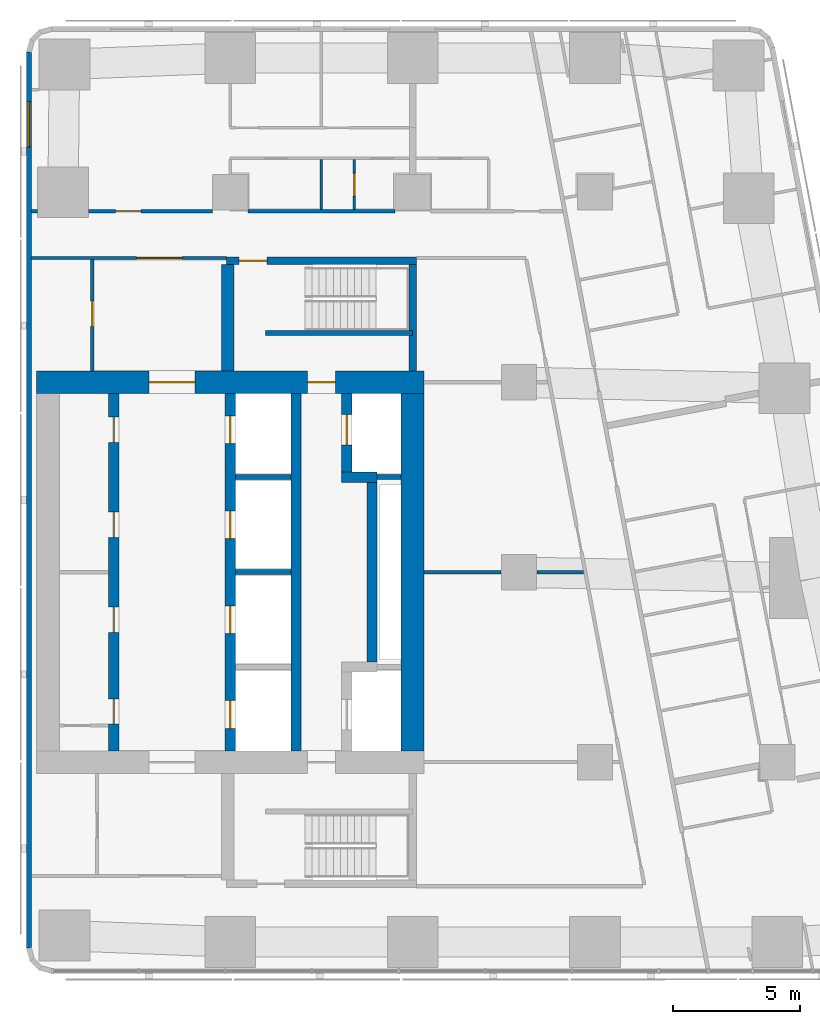
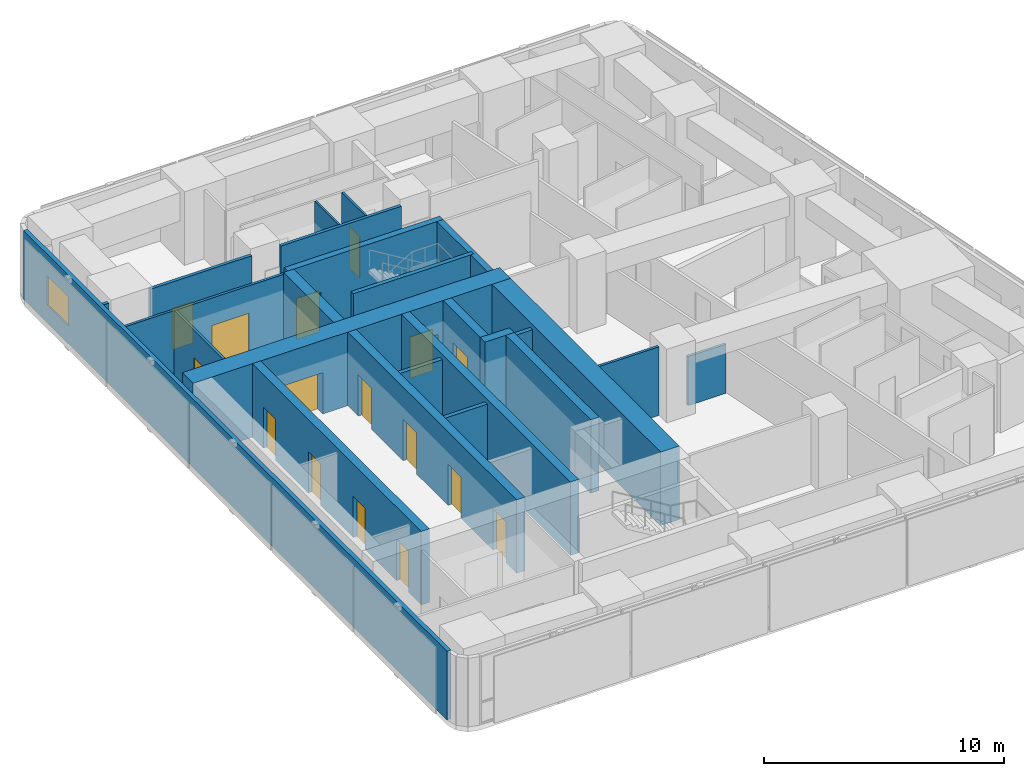
# One storey, part 6 of 11: 25 walls, 16 doors, 1 window, 17 openings.
"""IFC4 building model written with IfcOpenShell, lengths in metres."""

import ifcopenshell
import ifcopenshell.guid

model = None  # the IFC model being written
_history = None  # IfcOwnerHistory: only IFC2X3 demands one
_inside = {}  # id of a spatial element -> (the spatial element, [elements in it])
_under = {}  # id of a project, library or spatial element -> (it, [spatial elements below it])
_declared = {}  # id of a project -> (the project, [libraries it declares])
_typed = {}  # id of a type object -> (the type object, [elements of that type])
_made_of = {}  # id of a material, layer set ... -> (it, [elements and type objects made of it])


def new_model(schema):
    """Start an empty IFC model of exactly this schema.

    Asked for "IFC4X3", IfcOpenShell would pick the latest addendum, in which some entities
    have other attributes; the version numbers below select the first issue.
    IFC2X3 requires an IfcOwnerHistory on every rooted entity: one is made here for all.
    """
    global model, _history
    if schema == "IFC4X3":
        model = ifcopenshell.file(schema_version=(4, 3, 0, 0))
    else:
        model = ifcopenshell.file(schema=schema)
    _inside.clear()
    _under.clear()
    _declared.clear()
    _typed.clear()
    _made_of.clear()
    _history = None
    if model.schema == "IFC2X3":
        org = make("IfcOrganization", Name="unknown")
        user = make(
            "IfcPersonAndOrganization",
            ThePerson=make("IfcPerson", FamilyName="unknown"),
            TheOrganization=org,
        )
        app = make(
            "IfcApplication",
            ApplicationDeveloper=org,
            Version="unknown",
            ApplicationFullName="unknown",
            ApplicationIdentifier="unknown",
        )
        _history = make(
            "IfcOwnerHistory",
            OwningUser=user,
            OwningApplication=app,
            ChangeAction="ADDED",
            CreationDate=0,
        )
    return model


def make(cls, **values):
    """One entity of the class cls with the attributes given. An attribute that is None is left unset."""
    return model.create_entity(
        cls, **{name: value for name, value in values.items() if value is not None}
    )


def rooted(cls, **values):
    """An entity with a GlobalId (a new one), such as an element, a storey or a relation."""
    return make(cls, GlobalId=ifcopenshell.guid.new(), OwnerHistory=_history, **values)


def si_unit(unit_type, name, prefix=None):
    """IfcSIUnit, for example si_unit("LENGTHUNIT", "METRE", prefix="MILLI")."""
    return make("IfcSIUnit", UnitType=unit_type, Prefix=prefix, Name=name)


def assignment(units):
    """IfcUnitAssignment: the units of a project."""
    return None if units is None else make("IfcUnitAssignment", Units=units)


def point(xyz):
    """IfcCartesianPoint."""
    return None if xyz is None else make("IfcCartesianPoint", Coordinates=xyz)


def direction(xyz):
    """IfcDirection."""
    return None if xyz is None else make("IfcDirection", DirectionRatios=xyz)


def frame(location, z_axis=None, x_axis=None):
    """IfcAxis2Placement3D, a coordinate frame: its origin and axes. An axis left out is left unset."""
    return make(
        "IfcAxis2Placement3D",
        Location=point(location),
        Axis=direction(z_axis),
        RefDirection=direction(x_axis),
    )


def frame_2d(location, x_axis=None):
    """IfcAxis2Placement2D, a coordinate frame in the plane: its origin and x axis."""
    return make(
        "IfcAxis2Placement2D", Location=point(location), RefDirection=direction(x_axis)
    )


def origin():
    """The frame at (0, 0, 0) with its axes left unset."""
    return frame((0.0, 0.0, 0.0))


def place(relative_to, where):
    """IfcLocalPlacement: puts the frame where relative to a parent placement (None: the world)."""
    return make(
        "IfcLocalPlacement", PlacementRelTo=relative_to, RelativePlacement=where
    )


def context(
    kind, dimensions, precision=None, world=None, true_north=None, identifier=None
):
    """IfcGeometricRepresentationContext, for example the 3D "Model" context."""
    return make(
        "IfcGeometricRepresentationContext",
        ContextIdentifier=identifier,
        ContextType=kind,
        CoordinateSpaceDimension=dimensions,
        Precision=precision,
        WorldCoordinateSystem=world,
        TrueNorth=true_north,
    )


def subcontext(parent, identifier, kind, view, scale=None):
    """IfcGeometricRepresentationSubContext, for example "Body" below "Model"."""
    return make(
        "IfcGeometricRepresentationSubContext",
        ContextIdentifier=identifier,
        ContextType=kind,
        ParentContext=parent,
        TargetScale=scale,
        TargetView=view,
    )


def project(units=None, contexts=None):
    """IfcProject with its units and contexts."""
    return rooted(
        "IfcProject",
        Name="project",
        RepresentationContexts=contexts,
        UnitsInContext=assignment(units),
    )


def spatial(cls, under=None, at=None, **own):
    """A site, building, storey or space (cls), placed at a placement, below another one or the project."""
    s = rooted(cls, ObjectPlacement=at, **own)
    if under is not None:
        _under.setdefault(under.id(), (under, []))[1].append(s)
    return s


def profile(cls, at=None, kind="AREA", **sizes):
    """A parametric profile (cls). Its sizes go by their IFC names, for example OverallWidth=200.0."""
    return make(cls, ProfileType=kind, Position=at, **sizes)


def rectangle(**sizes):
    """IfcRectangleProfileDef."""
    return profile("IfcRectangleProfileDef", **sizes)


def extrude(swept, where, along, depth):
    """IfcExtrudedAreaSolid: the profile swept, set in the frame where, extruded along a direction by depth."""
    return make(
        "IfcExtrudedAreaSolid",
        SweptArea=swept,
        Position=where,
        ExtrudedDirection=direction(along),
        Depth=depth,
    )


def shape(context_of_items, identifier, shape_type, items):
    """IfcShapeRepresentation: the items that make up one representation, for example the "Body"."""
    return make(
        "IfcShapeRepresentation",
        ContextOfItems=context_of_items,
        RepresentationIdentifier=identifier,
        RepresentationType=shape_type,
        Items=items,
    )


def material(Name=None, Category=None):
    """IfcMaterial."""
    return make("IfcMaterial", Name=Name, Category=Category)


def layer(
    of_material, thickness, ventilated=None, Name=None, Category=None, Priority=None
):
    """IfcMaterialLayer: one layer of a wall or slab, of a material (None: an air gap)."""
    return make(
        "IfcMaterialLayer",
        Material=of_material,
        LayerThickness=thickness,
        IsVentilated=ventilated,
        Name=Name,
        Category=Category,
        Priority=Priority,
    )


def layer_set(layers, Name=None):
    """IfcMaterialLayerSet."""
    return make("IfcMaterialLayerSet", MaterialLayers=layers, LayerSetName=Name)


def made_of(thing, what):
    """Note that an element or type object is made of a material, layer set ...; save() writes the relation."""
    if what is not None:
        _made_of.setdefault(what.id(), (what, []))[1].append(thing)
    return thing


def type_object(cls, material=None, **own):
    """A type object (cls), such as IfcWallType, which elements share."""
    return made_of(rooted(cls, **own), material)


def element(
    cls,
    number,
    at=None,
    inside=None,
    cuts=None,
    type_object=None,
    material=None,
    context=None,
    identifier="Body",
    shape_type=None,
    held_by="IfcProductDefinitionShape",
    body=None,
    shapes=None,
    **own,
):
    """One element of the class cls, such as IfcWall. Its Tag is "e" and its number.

    at: its placement. inside: the storey or other place that contains it. cuts: it is an
    opening in that element (IfcRelVoidsElement). A single representation is given by context,
    identifier, shape_type and body (its items); several are given by shapes. held_by: the class
    of the entity that holds the representations. save() writes the other relations.
    """
    e = rooted(cls, Tag="e%d" % number, ObjectPlacement=at, **own)
    if body is not None:
        shapes = [shape(context, identifier, shape_type, body)]
    if shapes is not None:
        e.Representation = make(held_by, Representations=shapes)
    if inside is not None:
        _inside.setdefault(inside.id(), (inside, []))[1].append(e)
    if cuts is not None:
        rooted(
            "IfcRelVoidsElement", RelatingBuildingElement=cuts, RelatedOpeningElement=e
        )
    if type_object is not None:
        _typed.setdefault(type_object.id(), (type_object, []))[1].append(e)
    return made_of(e, material)


def fill(opening, filler):
    """IfcRelFillsElement: the door or window that sits in an opening."""
    return rooted(
        "IfcRelFillsElement",
        RelatingOpeningElement=opening,
        RelatedBuildingElement=filler,
    )


def aggregate(whole, parts):
    """IfcRelAggregates: a whole, such as a stair, and the parts it consists of."""
    return rooted("IfcRelAggregates", RelatingObject=whole, RelatedObjects=parts)


def save(model, path):
    """Write the relations noted so far, then the file.

    IfcRelAggregates (storeys below a building ...), IfcRelContainedInSpatialStructure (elements
    in a storey), IfcRelDefinesByType, IfcRelAssociatesMaterial and IfcRelDeclares: one each for
    every whole, place, type object, material and project.
    """
    for whole, parts in _under.values():
        aggregate(whole, parts)
    for where, things in _inside.values():
        rooted(
            "IfcRelContainedInSpatialStructure",
            RelatedElements=things,
            RelatingStructure=where,
        )
    for kind, things in _typed.values():
        rooted("IfcRelDefinesByType", RelatedObjects=things, RelatingType=kind)
    for what, things in _made_of.values():
        rooted("IfcRelAssociatesMaterial", RelatedObjects=things, RelatingMaterial=what)
    for by, libraries in _declared.values():
        rooted("IfcRelDeclares", RelatingContext=by, RelatedDefinitions=libraries)
    model.write(path)


model = new_model("IFC4")

# Units and contexts
model_context = context("Model", 3, precision=1e-05, world=origin(), true_north=direction((0.0, 1.0)))
body_context = subcontext(model_context, "Body", "Model", "MODEL_VIEW")
ifc_project = project(units=[si_unit("LENGTHUNIT", "METRE"), si_unit("AREAUNIT", "SQUARE_METRE"), si_unit("VOLUMEUNIT", "CUBIC_METRE"), si_unit("PLANEANGLEUNIT", "RADIAN"), si_unit("MASSUNIT", "GRAM", prefix="KILO")], contexts=[model_context])

# Site, building, storey
site_placement = place(None, origin())
site = spatial("IfcSite", under=ifc_project, at=site_placement, CompositionType="ELEMENT")
building_placement = place(site_placement, origin())
building = spatial("IfcBuilding", under=site, at=building_placement, Name="Sheger Commons Tower", CompositionType="ELEMENT")
storey_placement = place(building_placement, frame((0.0, 0.0, 277.85009765625)))
storey = spatial("IfcBuildingStorey", under=building, at=storey_placement, Name="L71", CompositionType="ELEMENT", Elevation=277.85009765625)

# Wall, openings, doors
ifc_material_1 = material(Name="Concrete C50/60", Category="concrete")
ifc_layer_1 = layer(ifc_material_1, 0.39990234375)
ifc_layer_set_1 = layer_set([ifc_layer_1], Name="CORE INNER WALL 400")
wall_type_1 = type_object("IfcWallType", Name="CORE INNER WALL 400", PredefinedType="SHEAR", material=ifc_layer_set_1)
wall_1_placement = place(storey_placement, frame((17.0, 15.449951171875, 0.0), z_axis=(0.0, 0.0, 1.0), x_axis=(0.0, 1.0, 0.0)))
wall_1 = element("IfcWall", 1, at=wall_1_placement, inside=storey, type_object=wall_type_1, Name="Core inner wall A L71", PredefinedType="SHEAR", context=body_context, shape_type="SweptSolid", body=[
    extrude(rectangle(XDim=14.10009765625, YDim=0.39990234375, at=frame_2d((7.050048828125, 0.0))), origin(), (0.0, 0.0, 1.0), 3.75),
])
opening_1_placement = place(wall_1_placement, frame((1.050048828125, 0.0, 0.0)))
opening_1 = element("IfcOpeningElement", 2, at=opening_1_placement, cuts=wall_1, Name="Opening D4", PredefinedType="OPENING", context=body_context, shape_type="SweptSolid", body=[
    extrude(rectangle(XDim=1.0, YDim=2.10009765625, at=frame_2d((0.5, 1.050048828125))), frame((0.0, 0.2099609375, 0.0), z_axis=(0.0, -1.0, 0.0), x_axis=(1.0, 0.0, 0.0)), (0.0, 0.0, 1.0), 0.419921875),
])
opening_2_placement = place(wall_1_placement, frame((4.675048828125, 0.0, 0.0)))
opening_2 = element("IfcOpeningElement", 3, at=opening_2_placement, cuts=wall_1, Name="Opening D4", PredefinedType="OPENING", context=body_context, shape_type="SweptSolid", body=[
    extrude(rectangle(XDim=1.0, YDim=2.10009765625, at=frame_2d((0.5, 1.050048828125))), frame((0.0, 0.2099609375, 0.0), z_axis=(0.0, -1.0, 0.0), x_axis=(1.0, 0.0, 0.0)), (0.0, 0.0, 1.0), 0.419921875),
])
opening_3_placement = place(wall_1_placement, frame((8.425048828125, 0.0, 0.0)))
opening_3 = element("IfcOpeningElement", 4, at=opening_3_placement, cuts=wall_1, Name="Opening D4", PredefinedType="OPENING", context=body_context, shape_type="SweptSolid", body=[
    extrude(rectangle(XDim=1.0, YDim=2.10009765625, at=frame_2d((0.5, 1.050048828125))), frame((0.0, 0.2099609375, 0.0), z_axis=(0.0, -1.0, 0.0), x_axis=(1.0, 0.0, 0.0)), (0.0, 0.0, 1.0), 0.419921875),
])
opening_4_placement = place(wall_1_placement, frame((12.175048828125, 0.0, 0.0)))
opening_4 = element("IfcOpeningElement", 5, at=opening_4_placement, cuts=wall_1, Name="Opening D4", PredefinedType="OPENING", context=body_context, shape_type="SweptSolid", body=[
    extrude(rectangle(XDim=1.0, YDim=2.10009765625, at=frame_2d((0.5, 1.050048828125))), frame((0.0, 0.2099609375, 0.0), z_axis=(0.0, -1.0, 0.0), x_axis=(1.0, 0.0, 0.0)), (0.0, 0.0, 1.0), 0.419921875),
])
ifc_material_2 = material(Name="Steel door set, fire rated", Category="steel")
door_type_1 = type_object("IfcDoorType", Name="SERVICE DOOR 1000x2100", OperationType="NOTDEFINED", PredefinedType="DOOR", material=ifc_material_2)
door_1_placement = place(opening_1_placement, origin())
door_1 = element("IfcDoor", 6, at=door_1_placement, inside=storey, type_object=door_type_1, Name="Residents' bulky goods store door", OperationType="SINGLE_SWING_LEFT", OverallHeight=2.10009765625, OverallWidth=1.0, PredefinedType="DOOR", context=body_context, shape_type="SweptSolid", body=[
    extrude(rectangle(XDim=1.0, YDim=2.10009765625, at=frame_2d((0.5, 1.050048828125))), frame((0.0, 0.02490234375, 0.0), z_axis=(0.0, -1.0, 0.0), x_axis=(1.0, 0.0, 0.0)), (0.0, 0.0, 1.0), 0.050048828125),
])
fill(opening_1, door_1)
door_2_placement = place(opening_2_placement, origin())
door_2 = element("IfcDoor", 7, at=door_2_placement, inside=storey, type_object=door_type_1, Name="Residents' bulky goods store door", OperationType="SINGLE_SWING_RIGHT", OverallHeight=2.10009765625, OverallWidth=1.0, PredefinedType="DOOR", context=body_context, shape_type="SweptSolid", body=[
    extrude(rectangle(XDim=1.0, YDim=2.10009765625, at=frame_2d((0.5, 1.050048828125))), frame((0.0, 0.02490234375, 0.0), z_axis=(0.0, -1.0, 0.0), x_axis=(1.0, 0.0, 0.0)), (0.0, 0.0, 1.0), 0.050048828125),
])
fill(opening_2, door_2)
door_3_placement = place(opening_3_placement, origin())
door_3 = element("IfcDoor", 8, at=door_3_placement, inside=storey, type_object=door_type_1, Name="Maintenance workshop door", OperationType="SINGLE_SWING_LEFT", OverallHeight=2.10009765625, OverallWidth=1.0, PredefinedType="DOOR", context=body_context, shape_type="SweptSolid", body=[
    extrude(rectangle(XDim=1.0, YDim=2.10009765625, at=frame_2d((0.5, 1.050048828125))), frame((0.0, 0.02490234375, 0.0), z_axis=(0.0, -1.0, 0.0), x_axis=(1.0, 0.0, 0.0)), (0.0, 0.0, 1.0), 0.050048828125),
])
fill(opening_3, door_3)
door_4_placement = place(opening_4_placement, origin())
door_4 = element("IfcDoor", 9, at=door_4_placement, inside=storey, type_object=door_type_1, Name="Maintenance workshop door", OperationType="SINGLE_SWING_RIGHT", OverallHeight=2.10009765625, OverallWidth=1.0, PredefinedType="DOOR", context=body_context, shape_type="SweptSolid", body=[
    extrude(rectangle(XDim=1.0, YDim=2.10009765625, at=frame_2d((0.5, 1.050048828125))), frame((0.0, 0.02490234375, 0.0), z_axis=(0.0, -1.0, 0.0), x_axis=(1.0, 0.0, 0.0)), (0.0, 0.0, 1.0), 0.050048828125),
])
fill(opening_4, door_4)

wall_2_placement = place(storey_placement, frame((21.60009765625, 15.449951171875, 0.0), z_axis=(0.0, 0.0, 1.0), x_axis=(0.0, 1.0, 0.0)))
wall_2 = element("IfcWall", 10, at=wall_2_placement, inside=storey, type_object=wall_type_1, Name="Core inner wall L L71", PredefinedType="SHEAR", context=body_context, shape_type="SweptSolid", body=[
    extrude(rectangle(XDim=14.10009765625, YDim=0.39990234375, at=frame_2d((7.050048828125, 0.0))), origin(), (0.0, 0.0, 1.0), 3.75),
])
opening_5_placement = place(wall_2_placement, frame((0.875, 0.0, 0.0)))
opening_5 = element("IfcOpeningElement", 11, at=opening_5_placement, cuts=wall_2, Name="Opening LD", PredefinedType="OPENING", context=body_context, shape_type="SweptSolid", body=[
    extrude(rectangle(XDim=1.10009765625, YDim=2.10009765625, at=frame_2d((0.550048828125, 1.050048828125))), frame((0.0, 0.2099609375, 0.0), z_axis=(0.0, -1.0, 0.0), x_axis=(1.0, 0.0, 0.0)), (0.0, 0.0, 1.0), 0.419921875),
])
opening_6_placement = place(wall_2_placement, frame((4.625, 0.0, 0.0)))
opening_6 = element("IfcOpeningElement", 12, at=opening_6_placement, cuts=wall_2, Name="Opening LD", PredefinedType="OPENING", context=body_context, shape_type="SweptSolid", body=[
    extrude(rectangle(XDim=1.10009765625, YDim=2.10009765625, at=frame_2d((0.550048828125, 1.050048828125))), frame((0.0, 0.2099609375, 0.0), z_axis=(0.0, -1.0, 0.0), x_axis=(1.0, 0.0, 0.0)), (0.0, 0.0, 1.0), 0.419921875),
])
opening_7_placement = place(wall_2_placement, frame((8.375, 0.0, 0.0)))
opening_7 = element("IfcOpeningElement", 13, at=opening_7_placement, cuts=wall_2, Name="Opening LD", PredefinedType="OPENING", context=body_context, shape_type="SweptSolid", body=[
    extrude(rectangle(XDim=1.10009765625, YDim=2.10009765625, at=frame_2d((0.550048828125, 1.050048828125))), frame((0.0, 0.2099609375, 0.0), z_axis=(0.0, -1.0, 0.0), x_axis=(1.0, 0.0, 0.0)), (0.0, 0.0, 1.0), 0.419921875),
])
opening_8_placement = place(wall_2_placement, frame((12.125, 0.0, 0.0)))
opening_8 = element("IfcOpeningElement", 14, at=opening_8_placement, cuts=wall_2, Name="Opening LD", PredefinedType="OPENING", context=body_context, shape_type="SweptSolid", body=[
    extrude(rectangle(XDim=1.10009765625, YDim=2.10009765625, at=frame_2d((0.550048828125, 1.050048828125))), frame((0.0, 0.2099609375, 0.0), z_axis=(0.0, -1.0, 0.0), x_axis=(1.0, 0.0, 0.0)), (0.0, 0.0, 1.0), 0.419921875),
])
ifc_material_3 = material(Name="Steel door set, fire rated", Category="steel")
door_type_2 = type_object("IfcDoorType", Name="LIFT LANDING DOOR 1100x2100", OperationType="DOUBLE_DOOR_SLIDING", PredefinedType="DOOR", material=ifc_material_3)
door_5_placement = place(opening_5_placement, origin())
door_5 = element("IfcDoor", 15, at=door_5_placement, inside=storey, type_object=door_type_2, Name="Lift LB1 landing door", OperationType="DOUBLE_DOOR_SLIDING", OverallHeight=2.10009765625, OverallWidth=1.10009765625, PredefinedType="DOOR", context=body_context, shape_type="SweptSolid", body=[
    extrude(rectangle(XDim=1.10009765625, YDim=2.10009765625, at=frame_2d((0.550048828125, 1.050048828125))), frame((0.0, 0.02490234375, 0.0), z_axis=(0.0, -1.0, 0.0), x_axis=(1.0, 0.0, 0.0)), (0.0, 0.0, 1.0), 0.050048828125),
])
fill(opening_5, door_5)
door_6_placement = place(opening_6_placement, origin())
door_6 = element("IfcDoor", 16, at=door_6_placement, inside=storey, type_object=door_type_2, Name="Lift LB2 landing door", OperationType="DOUBLE_DOOR_SLIDING", OverallHeight=2.10009765625, OverallWidth=1.10009765625, PredefinedType="DOOR", context=body_context, shape_type="SweptSolid", body=[
    extrude(rectangle(XDim=1.10009765625, YDim=2.10009765625, at=frame_2d((0.550048828125, 1.050048828125))), frame((0.0, 0.02490234375, 0.0), z_axis=(0.0, -1.0, 0.0), x_axis=(1.0, 0.0, 0.0)), (0.0, 0.0, 1.0), 0.050048828125),
])
fill(opening_6, door_6)
door_7_placement = place(opening_7_placement, origin())
door_7 = element("IfcDoor", 17, at=door_7_placement, inside=storey, type_object=door_type_2, Name="Lift LB3 landing door", OperationType="DOUBLE_DOOR_SLIDING", OverallHeight=2.10009765625, OverallWidth=1.10009765625, PredefinedType="DOOR", context=body_context, shape_type="SweptSolid", body=[
    extrude(rectangle(XDim=1.10009765625, YDim=2.10009765625, at=frame_2d((0.550048828125, 1.050048828125))), frame((0.0, 0.02490234375, 0.0), z_axis=(0.0, -1.0, 0.0), x_axis=(1.0, 0.0, 0.0)), (0.0, 0.0, 1.0), 0.050048828125),
])
fill(opening_7, door_7)
door_8_placement = place(opening_8_placement, origin())
door_8 = element("IfcDoor", 18, at=door_8_placement, inside=storey, type_object=door_type_2, Name="Lift LB4 landing door", OperationType="DOUBLE_DOOR_SLIDING", OverallHeight=2.10009765625, OverallWidth=1.10009765625, PredefinedType="DOOR", context=body_context, shape_type="SweptSolid", body=[
    extrude(rectangle(XDim=1.10009765625, YDim=2.10009765625, at=frame_2d((0.550048828125, 1.050048828125))), frame((0.0, 0.02490234375, 0.0), z_axis=(0.0, -1.0, 0.0), x_axis=(1.0, 0.0, 0.0)), (0.0, 0.0, 1.0), 0.050048828125),
])
fill(opening_8, door_8)

# Walls
wall_3_placement = place(storey_placement, frame((24.199951171875, 15.449951171875, 0.0), z_axis=(0.0, 0.0, 1.0), x_axis=(0.0, 1.0, 0.0)))
element("IfcWall", 19, at=wall_3_placement, inside=storey, type_object=wall_type_1, Name="Core inner wall B L71", PredefinedType="SHEAR", context=body_context, shape_type="SweptSolid", body=[
    extrude(rectangle(XDim=14.10009765625, YDim=0.39990234375, at=frame_2d((7.050048828125, 0.0))), origin(), (0.0, 0.0, 1.0), 3.75),
])
wall_4_placement = place(storey_placement, frame((27.199951171875, 18.949951171875, 0.0), z_axis=(0.0, 0.0, 1.0), x_axis=(0.0, 1.0, 0.0)))
element("IfcWall", 20, at=wall_4_placement, inside=storey, type_object=wall_type_1, Name="Core inner wall F middle L71", PredefinedType="SHEAR", context=body_context, shape_type="SweptSolid", body=[
    extrude(rectangle(XDim=7.10009765625, YDim=0.39990234375, at=frame_2d((3.550048828125, 0.0))), origin(), (0.0, 0.0, 1.0), 3.75),
])
wall_5_placement = place(storey_placement, frame((26.0, 26.25, 0.0), z_axis=(0.0, 0.0, 1.0), x_axis=(1.0, 0.0, 0.0)))
element("IfcWall", 21, at=wall_5_placement, inside=storey, type_object=wall_type_1, Name="Core inner wall F north return L71", PredefinedType="SHEAR", context=body_context, shape_type="SweptSolid", body=[
    extrude(rectangle(XDim=1.39990234375, YDim=0.39990234375, at=frame_2d((0.699951171875, 0.0))), origin(), (0.0, 0.0, 1.0), 3.75),
])

# Wall, opening, door
wall_6_placement = place(storey_placement, frame((26.199951171875, 26.449951171875, 0.0), z_axis=(0.0, 0.0, 1.0), x_axis=(0.0, 1.0, 0.0)))
wall_6 = element("IfcWall", 22, at=wall_6_placement, inside=storey, type_object=wall_type_1, Name="Core inner wall F north L71", PredefinedType="SHEAR", context=body_context, shape_type="SweptSolid", body=[
    extrude(rectangle(XDim=3.10009765625, YDim=0.39990234375, at=frame_2d((1.550048828125, 0.0))), origin(), (0.0, 0.0, 1.0), 3.75),
])
opening_9_placement = place(wall_6_placement, frame((1.074951171875, 0.0, 0.0)))
opening_9 = element("IfcOpeningElement", 23, at=opening_9_placement, cuts=wall_6, Name="Opening LD2", PredefinedType="OPENING", context=body_context, shape_type="SweptSolid", body=[
    extrude(rectangle(XDim=1.199951171875, YDim=2.10009765625, at=frame_2d((0.60009765625, 1.050048828125))), frame((0.0, 0.2099609375, 0.0), z_axis=(0.0, -1.0, 0.0), x_axis=(1.0, 0.0, 0.0)), (0.0, 0.0, 1.0), 0.419921875),
])
ifc_material_4 = material(Name="Steel door set, fire rated", Category="steel")
door_type_3 = type_object("IfcDoorType", Name="FIREFIGHTING LIFT LANDING DOOR 1200x2100", OperationType="DOUBLE_DOOR_SLIDING", PredefinedType="DOOR", material=ifc_material_4)
door_9_placement = place(opening_9_placement, origin())
door_9 = element("IfcDoor", 24, at=door_9_placement, inside=storey, type_object=door_type_3, Name="Lift FL2 landing door", OperationType="DOUBLE_DOOR_SLIDING", OverallHeight=2.10009765625, OverallWidth=1.199951171875, PredefinedType="DOOR", context=body_context, shape_type="SweptSolid", body=[
    extrude(rectangle(XDim=1.199951171875, YDim=2.10009765625, at=frame_2d((0.60009765625, 1.050048828125))), frame((0.0, 0.02490234375, 0.0), z_axis=(0.0, -1.0, 0.0), x_axis=(1.0, 0.0, 0.0)), (0.0, 0.0, 1.0), 0.050048828125),
])
fill(opening_9, door_9)

# Wall, openings, doors
ifc_material_5 = material(Name="Concrete C50/60", Category="concrete")
ifc_layer_2 = layer(ifc_material_5, 0.89990234375)
ifc_layer_set_2 = layer_set([ifc_layer_2], Name="CORE WALL 900")
wall_type_2 = type_object("IfcWallType", Name="CORE WALL 900", PredefinedType="SHEAR", material=ifc_layer_set_2)
wall_7_placement = place(storey_placement, frame((13.949951171875, 30.0, 0.0), z_axis=(0.0, 0.0, 1.0), x_axis=(1.0, 0.0, 0.0)))
wall_7 = element("IfcWall", 25, at=wall_7_placement, inside=storey, type_object=wall_type_2, Name="Core wall north L71", PredefinedType="SHEAR", context=body_context, shape_type="SweptSolid", body=[
    extrude(rectangle(XDim=15.300048828125, YDim=0.89990234375, at=frame_2d((7.64990234375, 0.0))), origin(), (0.0, 0.0, 1.0), 3.75),
])
opening_10_placement = place(wall_7_placement, frame((4.449951171875, 0.0, 0.0)))
opening_10 = element("IfcOpeningElement", 26, at=opening_10_placement, cuts=wall_7, Name="Opening D6", PredefinedType="OPENING", context=body_context, shape_type="SweptSolid", body=[
    extrude(rectangle(XDim=1.800048828125, YDim=2.10009765625, at=frame_2d((0.89990234375, 1.050048828125))), frame((0.0, 0.4599609375, 0.0), z_axis=(0.0, -1.0, 0.0), x_axis=(1.0, 0.0, 0.0)), (0.0, 0.0, 1.0), 0.919921875),
])
opening_11_placement = place(wall_7_placement, frame((10.699951171875, 0.0, 0.0)))
opening_11 = element("IfcOpeningElement", 27, at=opening_11_placement, cuts=wall_7, Name="Opening D5", PredefinedType="OPENING", context=body_context, shape_type="SweptSolid", body=[
    extrude(rectangle(XDim=1.10009765625, YDim=2.10009765625, at=frame_2d((0.550048828125, 1.050048828125))), frame((0.0, 0.4599609375, 0.0), z_axis=(0.0, -1.0, 0.0), x_axis=(1.0, 0.0, 0.0)), (0.0, 0.0, 1.0), 0.919921875),
])
ifc_material_6 = material(Name="Steel door set, fire rated", Category="steel")
door_type_4 = type_object("IfcDoorType", Name="LOBBY DOUBLE DOOR 1800x2100", OperationType="DOUBLE_DOOR_SINGLE_SWING", PredefinedType="DOOR", material=ifc_material_6)
door_10_placement = place(opening_10_placement, origin())
door_10 = element("IfcDoor", 28, at=door_10_placement, inside=storey, type_object=door_type_4, Name="Lift lobby door", OperationType="DOUBLE_DOOR_SINGLE_SWING", OverallHeight=2.10009765625, OverallWidth=1.800048828125, PredefinedType="DOOR", context=body_context, shape_type="SweptSolid", body=[
    extrude(rectangle(XDim=1.800048828125, YDim=2.10009765625, at=frame_2d((0.89990234375, 1.050048828125))), frame((0.0, 0.02490234375, 0.0), z_axis=(0.0, -1.0, 0.0), x_axis=(1.0, 0.0, 0.0)), (0.0, 0.0, 1.0), 0.050048828125),
])
fill(opening_10, door_10)
ifc_material_7 = material(Name="Steel door set, fire rated", Category="steel")
door_type_5 = type_object("IfcDoorType", Name="STAIR DOOR 1100x2100", OperationType="NOTDEFINED", PredefinedType="DOOR", material=ifc_material_7)
door_11_placement = place(opening_11_placement, origin())
door_11 = element("IfcDoor", 29, at=door_11_placement, inside=storey, type_object=door_type_5, Name="Fire-fighting lobby door", OperationType="SINGLE_SWING_RIGHT", OverallHeight=2.10009765625, OverallWidth=1.10009765625, PredefinedType="DOOR", context=body_context, shape_type="SweptSolid", body=[
    extrude(rectangle(XDim=1.10009765625, YDim=2.10009765625, at=frame_2d((0.550048828125, 1.050048828125))), frame((0.0, 0.02490234375, 0.0), z_axis=(0.0, -1.0, 0.0), x_axis=(1.0, 0.0, 0.0)), (0.0, 0.0, 1.0), 0.050048828125),
])
fill(opening_11, door_11)

# Walls
wall_8_placement = place(storey_placement, frame((28.800048828125, 15.449951171875, 0.0), z_axis=(0.0, 0.0, 1.0), x_axis=(0.0, 1.0, 0.0)))
element("IfcWall", 30, at=wall_8_placement, inside=storey, type_object=wall_type_2, Name="Core wall east L71", PredefinedType="SHEAR", context=body_context, shape_type="SweptSolid", body=[
    extrude(rectangle(XDim=14.10009765625, YDim=0.89990234375, at=frame_2d((7.050048828125, 0.0))), origin(), (0.0, 0.0, 1.0), 3.75),
])
ifc_material_8 = material(Name="Hollow concrete block masonry, skimmed both sides", Category="masonry")
ifc_layer_3 = layer(ifc_material_8, 0.14990234375)
ifc_layer_set_3 = layer_set([ifc_layer_3], Name="CORRIDOR WALL 150")
wall_type_3 = type_object("IfcWallType", Name="CORRIDOR WALL 150", PredefinedType="SOLIDWALL", material=ifc_layer_set_3)
wall_9_placement = place(storey_placement, frame((13.75, 36.75, 0.0), z_axis=(0.0, 0.0, 1.0), x_axis=(1.0, 0.0, 0.0)))
element("IfcWall", 31, at=wall_9_placement, inside=storey, type_object=wall_type_3, Name="Corridor wall L71", PredefinedType="SOLIDWALL", context=body_context, shape_type="SweptSolid", body=[
    extrude(rectangle(XDim=0.2490234375, YDim=0.14990234375, at=frame_2d((0.12451171875, 0.0))), origin(), (0.0, 0.0, 1.0), 3.5),
])

# Wall, opening, door
wall_10_placement = place(storey_placement, frame((16.0009765625, 36.75, 0.0), z_axis=(0.0, 0.0, 1.0), x_axis=(1.0, 0.0, 0.0)))
wall_10 = element("IfcWall", 32, at=wall_10_placement, inside=storey, type_object=wall_type_3, Name="Corridor wall L71", PredefinedType="SOLIDWALL", context=body_context, shape_type="SweptSolid", body=[
    extrude(rectangle(XDim=4.89794921875, YDim=0.14990234375, at=frame_2d((2.448974609375, 0.0))), origin(), (0.0, 0.0, 1.0), 3.5),
])
opening_12_placement = place(wall_10_placement, frame((1.073974609375, 0.0, 0.0)))
opening_12 = element("IfcOpeningElement", 33, at=opening_12_placement, cuts=wall_10, Name="Opening D1", PredefinedType="OPENING", context=body_context, shape_type="SweptSolid", body=[
    extrude(rectangle(XDim=1.0, YDim=2.10009765625, at=frame_2d((0.5, 1.050048828125))), frame((0.0, 0.0849609375, 0.0), z_axis=(0.0, -1.0, 0.0), x_axis=(1.0, 0.0, 0.0)), (0.0, 0.0, 1.0), 0.169921875),
])
ifc_material_9 = material(Name="Steel door set, fire rated", Category="steel")
door_type_6 = type_object("IfcDoorType", Name="FLAT ENTRANCE DOOR 1000x2100", OperationType="NOTDEFINED", PredefinedType="DOOR", material=ifc_material_9)
door_12_placement = place(opening_12_placement, origin())
door_12 = element("IfcDoor", 34, at=door_12_placement, inside=storey, type_object=door_type_6, Name="Flat entrance door", OperationType="SINGLE_SWING_LEFT", OverallHeight=2.10009765625, OverallWidth=1.0, PredefinedType="DOOR", context=body_context, shape_type="SweptSolid", body=[
    extrude(rectangle(XDim=1.0, YDim=2.10009765625, at=frame_2d((0.5, 1.050048828125))), frame((0.0, 0.02490234375, 0.0), z_axis=(0.0, -1.0, 0.0), x_axis=(1.0, 0.0, 0.0)), (0.0, 0.0, 1.0), 0.050048828125),
])
fill(opening_12, door_12)

# Wall
wall_11_placement = place(storey_placement, frame((22.301025390625, 36.75, 0.0), z_axis=(0.0, 0.0, 1.0), x_axis=(1.0, 0.0, 0.0)))
element("IfcWall", 35, at=wall_11_placement, inside=storey, type_object=wall_type_3, Name="Corridor wall L71", PredefinedType="SOLIDWALL", context=body_context, shape_type="SweptSolid", body=[
    extrude(rectangle(XDim=5.798095703125, YDim=0.14990234375, at=frame_2d((2.89892578125, 0.0))), origin(), (0.0, 0.0, 1.0), 3.5),
])

# Wall, opening, window
ifc_material_10 = material(Name="Rendered concrete block masonry, dark grey", Category="masonry")
ifc_layer_4 = layer(ifc_material_10, 0.199951171875)
ifc_layer_set_4 = layer_set([ifc_layer_4], Name="FACADE WALL 200")
wall_type_4 = type_object("IfcWallType", Name="FACADE WALL 200", PredefinedType="SOLIDWALL", material=ifc_layer_set_4)
wall_12_placement = place(storey_placement, frame((13.64990234375, 43.037109375, 0.0), z_axis=(0.0, 0.0, 1.0), x_axis=(0.0, -1.0, 0.0)))
wall_12 = element("IfcWall", 36, at=wall_12_placement, inside=storey, type_object=wall_type_4, Name="Facade wall L71", PredefinedType="SOLIDWALL", context=body_context, shape_type="SweptSolid", body=[
    extrude(rectangle(XDim=35.3740234375, YDim=0.199951171875, at=frame_2d((17.68701171875, 0.0))), origin(), (0.0, 0.0, 1.0), 3.5),
])
opening_13_placement = place(wall_12_placement, frame((1.958984375, 0.0, 0.89990234375)))
opening_13 = element("IfcOpeningElement", 37, at=opening_13_placement, cuts=wall_12, Name="Opening W2", PredefinedType="OPENING", context=body_context, shape_type="SweptSolid", body=[
    extrude(rectangle(XDim=1.800048828125, YDim=1.5, at=frame_2d((0.89990234375, 0.75))), frame((0.0, 0.10986328125, 0.0), z_axis=(0.0, -1.0, 0.0), x_axis=(1.0, 0.0, 0.0)), (0.0, 0.0, 1.0), 0.219970703125),
])
ifc_material_11 = material(Name="Black aluminium frame, dark tinted double glazing", Category="aluminium")
window_type = type_object("IfcWindowType", Name="WINDOW W2 1800x1500", PartitioningType="SINGLE_PANEL", PredefinedType="WINDOW", material=ifc_material_11)
window_placement = place(opening_13_placement, origin())
window = element("IfcWindow", 38, at=window_placement, inside=storey, type_object=window_type, Name="Window W2 1800X1500", OverallHeight=1.5, OverallWidth=1.800048828125, PartitioningType="SINGLE_PANEL", PredefinedType="WINDOW", context=body_context, shape_type="SweptSolid", body=[
    extrude(rectangle(XDim=1.800048828125, YDim=1.5, at=frame_2d((0.89990234375, 0.75))), frame((0.0, 0.030029296875, 0.0), z_axis=(0.0, -1.0, 0.0), x_axis=(1.0, 0.0, 0.0)), (0.0, 0.0, 1.0), 0.06005859375),
])
fill(opening_13, window)

# Wall
ifc_material_12 = material(Name="Gypsum board on steel studs", Category="steel")
ifc_layer_5 = layer(ifc_material_12, 0.10009765625)
ifc_layer_set_5 = layer_set([ifc_layer_5], Name="PARTITION 100")
wall_type_5 = type_object("IfcWallType", Name="PARTITION 100", PredefinedType="PARTITIONING", material=ifc_layer_set_5)
wall_13_placement = place(storey_placement, frame((25.199951171875, 36.824951171875, 0.0), z_axis=(0.0, 0.0, 1.0), x_axis=(0.0, 1.0, 0.0)))
element("IfcWall", 39, at=wall_13_placement, inside=storey, type_object=wall_type_5, Name="Partition L71", PredefinedType="PARTITIONING", context=body_context, shape_type="SweptSolid", body=[
    extrude(rectangle(XDim=1.97509765625, YDim=0.10009765625, at=frame_2d((0.987548828125, 0.0))), origin(), (0.0, 0.0, 1.0), 3.5),
])

# Wall, opening, door
wall_14_placement = place(storey_placement, frame((26.5, 36.824951171875, 0.0), z_axis=(0.0, 0.0, 1.0), x_axis=(0.0, 1.0, 0.0)))
wall_14 = element("IfcWall", 40, at=wall_14_placement, inside=storey, type_object=wall_type_5, Name="Partition L71", PredefinedType="PARTITIONING", context=body_context, shape_type="SweptSolid", body=[
    extrude(rectangle(XDim=1.97509765625, YDim=0.10009765625, at=frame_2d((0.987548828125, 0.0))), origin(), (0.0, 0.0, 1.0), 3.5),
])
opening_14_placement = place(wall_14_placement, frame((0.52490234375, 0.0, 0.0)))
opening_14 = element("IfcOpeningElement", 41, at=opening_14_placement, cuts=wall_14, Name="Opening D2", PredefinedType="OPENING", context=body_context, shape_type="SweptSolid", body=[
    extrude(rectangle(XDim=0.89990234375, YDim=2.10009765625, at=frame_2d((0.449951171875, 1.050048828125))), frame((0.0, 0.06005859375, 0.0), z_axis=(0.0, -1.0, 0.0), x_axis=(1.0, 0.0, 0.0)), (0.0, 0.0, 1.0), 0.1201171875),
])
ifc_material_13 = material(Name="Timber door set", Category="wood")
door_type_7 = type_object("IfcDoorType", Name="INTERNAL DOOR 900x2100", OperationType="NOTDEFINED", PredefinedType="DOOR", material=ifc_material_13)
door_13_placement = place(opening_14_placement, origin())
door_13 = element("IfcDoor", 42, at=door_13_placement, inside=storey, type_object=door_type_7, Name="Linen store door", OperationType="SINGLE_SWING_LEFT", OverallHeight=2.10009765625, OverallWidth=0.89990234375, PredefinedType="DOOR", context=body_context, shape_type="SweptSolid", body=[
    extrude(rectangle(XDim=0.89990234375, YDim=2.10009765625, at=frame_2d((0.449951171875, 1.050048828125))), frame((0.0, 0.02490234375, 0.0), z_axis=(0.0, -1.0, 0.0), x_axis=(1.0, 0.0, 0.0)), (0.0, 0.0, 1.0), 0.050048828125),
])
fill(opening_14, door_13)

ifc_material_14 = material(Name="Gypsum board on steel studs, two layers each side, fire rated", Category="steel")
ifc_layer_6 = layer(ifc_material_14, 0.125)
ifc_layer_set_6 = layer_set([ifc_layer_6], Name="SERVICE WALL 125")
wall_type_6 = type_object("IfcWallType", Name="SERVICE WALL 125", PredefinedType="PARTITIONING", material=ifc_layer_set_6)
wall_15_placement = place(storey_placement, frame((13.75, 34.89990234375, 0.0), z_axis=(0.0, 0.0, 1.0), x_axis=(1.0, 0.0, 0.0)))
wall_15 = element("IfcWall", 43, at=wall_15_placement, inside=storey, type_object=wall_type_6, Name="Service room wall L71", PredefinedType="PARTITIONING", context=body_context, shape_type="SweptSolid", body=[
    extrude(rectangle(XDim=7.699951171875, YDim=0.125, at=frame_2d((3.85009765625, 0.0))), origin(), (0.0, 0.0, 1.0), 3.5),
])
opening_15_placement = place(wall_15_placement, frame((4.14990234375, 0.0, 0.0)))
opening_15 = element("IfcOpeningElement", 44, at=opening_15_placement, cuts=wall_15, Name="Opening D6", PredefinedType="OPENING", context=body_context, shape_type="SweptSolid", body=[
    extrude(rectangle(XDim=1.800048828125, YDim=2.10009765625, at=frame_2d((0.89990234375, 1.050048828125))), frame((0.0, 0.072509765625, 0.0), z_axis=(0.0, -1.0, 0.0), x_axis=(1.0, 0.0, 0.0)), (0.0, 0.0, 1.0), 0.14501953125),
])
door_14_placement = place(opening_15_placement, origin())
door_14 = element("IfcDoor", 45, at=door_14_placement, inside=storey, type_object=door_type_4, Name="Lift lobby north door", OperationType="DOUBLE_DOOR_SINGLE_SWING", OverallHeight=2.10009765625, OverallWidth=1.800048828125, PredefinedType="DOOR", context=body_context, shape_type="SweptSolid", body=[
    extrude(rectangle(XDim=1.800048828125, YDim=2.10009765625, at=frame_2d((0.89990234375, 1.050048828125))), frame((0.0, 0.02490234375, 0.0), z_axis=(0.0, -1.0, 0.0), x_axis=(1.0, 0.0, 0.0)), (0.0, 0.0, 1.0), 0.050048828125),
])
fill(opening_15, door_14)

wall_16_placement = place(storey_placement, frame((16.14990234375, 30.449951171875, 0.0), z_axis=(0.0, 0.0, 1.0), x_axis=(0.0, 1.0, 0.0)))
wall_16 = element("IfcWall", 46, at=wall_16_placement, inside=storey, type_object=wall_type_6, Name="Service room wall L71", PredefinedType="PARTITIONING", context=body_context, shape_type="SweptSolid", body=[
    extrude(rectangle(XDim=4.386962890625, YDim=0.125, at=frame_2d((2.193359375, 0.0))), origin(), (0.0, 0.0, 1.0), 3.5),
])
opening_16_placement = place(wall_16_placement, frame((1.75, 0.0, 0.0)))
opening_16 = element("IfcOpeningElement", 47, at=opening_16_placement, cuts=wall_16, Name="Opening D4", PredefinedType="OPENING", context=body_context, shape_type="SweptSolid", body=[
    extrude(rectangle(XDim=1.0, YDim=2.10009765625, at=frame_2d((0.5, 1.050048828125))), frame((0.0, 0.072509765625, 0.0), z_axis=(0.0, -1.0, 0.0), x_axis=(1.0, 0.0, 0.0)), (0.0, 0.0, 1.0), 0.14501953125),
])
door_15_placement = place(opening_16_placement, origin())
door_15 = element("IfcDoor", 48, at=door_15_placement, inside=storey, type_object=door_type_1, Name="Telecom room door", OperationType="SINGLE_SWING_RIGHT", OverallHeight=2.10009765625, OverallWidth=1.0, PredefinedType="DOOR", context=body_context, shape_type="SweptSolid", body=[
    extrude(rectangle(XDim=1.0, YDim=2.10009765625, at=frame_2d((0.5, 1.050048828125))), frame((0.0, 0.02490234375, 0.0), z_axis=(0.0, -1.0, 0.0), x_axis=(1.0, 0.0, 0.0)), (0.0, 0.0, 1.0), 0.050048828125),
])
fill(opening_16, door_15)

# Walls
wall_17_placement = place(storey_placement, frame((29.25, 22.5, 0.0), z_axis=(0.0, 0.0, 1.0), x_axis=(1.0, 0.0, 0.0)))
element("IfcWall", 49, at=wall_17_placement, inside=storey, type_object=wall_type_6, Name="Service room wall L71", PredefinedType="PARTITIONING", context=body_context, shape_type="SweptSolid", body=[
    extrude(rectangle(XDim=3.049072265625, YDim=0.125, at=frame_2d((1.5244140625, 0.0))), origin(), (0.0, 0.0, 1.0), 3.5),
])
wall_18_placement = place(storey_placement, frame((33.700927734375, 22.5, 0.0), z_axis=(0.0, 0.0, 1.0), x_axis=(1.0, 0.0, 0.0)))
element("IfcWall", 50, at=wall_18_placement, inside=storey, type_object=wall_type_6, Name="Service room wall L71", PredefinedType="PARTITIONING", context=body_context, shape_type="SweptSolid", body=[
    extrude(rectangle(XDim=1.841064453125, YDim=0.125, at=frame_2d((0.92041015625, 0.0))), origin(), (0.0, 0.0, 1.0), 2.5),
])
ifc_material_15 = material(Name="Hollow concrete block masonry", Category="masonry")
ifc_layer_7 = layer(ifc_material_15, 0.199951171875)
ifc_layer_set_7 = layer_set([ifc_layer_7], Name="SHAFT WALL 200")
wall_type_7 = type_object("IfcWallType", Name="SHAFT WALL 200", PredefinedType="SOLIDWALL", material=ifc_layer_set_7)
for number, where, z_axis, x_axis, name in (
    (51, (21.800048828125, 22.5, 0.0), (0.0, 0.0, 1.0), (1.0, 0.0, 0.0), "Lift shaft wall L71"),
    (52, (21.800048828125, 26.25, 0.0), (0.0, 0.0, 1.0), (1.0, 0.0, 0.0), "Lift shaft wall L71"),
):
    element("IfcWall", number, at=place(storey_placement, frame(where, z_axis=z_axis, x_axis=x_axis)), inside=storey, type_object=wall_type_7, Name=name, PredefinedType="SOLIDWALL", context=body_context, shape_type="SweptSolid", body=[
        extrude(rectangle(XDim=2.199951171875, YDim=0.199951171875, at=frame_2d((1.10009765625, 0.0))), origin(), (0.0, 0.0, 1.0), 3.5),
    ])
wall_19_placement = place(storey_placement, frame((27.39990234375, 26.25, 0.0), z_axis=(0.0, 0.0, 1.0), x_axis=(1.0, 0.0, 0.0)))
element("IfcWall", 53, at=wall_19_placement, inside=storey, type_object=wall_type_7, Name="Lift shaft wall L71", PredefinedType="SOLIDWALL", context=body_context, shape_type="SweptSolid", body=[
    extrude(rectangle(XDim=0.9501953125, YDim=0.199951171875, at=frame_2d((0.47509765625, 0.0))), origin(), (0.0, 0.0, 1.0), 3.5),
])

# Wall, opening, door
ifc_material_16 = material(Name="Concrete C50/60", Category="concrete")
ifc_layer_8 = layer(ifc_material_16, 0.300048828125)
ifc_layer_set_8 = layer_set([ifc_layer_8], Name="STAIR CORE WALL 300")
wall_type_8 = type_object("IfcWallType", Name="STAIR CORE WALL 300", PredefinedType="SHEAR", material=ifc_layer_set_8)
wall_20_placement = place(storey_placement, frame((21.449951171875, 34.800048828125, 0.0), z_axis=(0.0, 0.0, 1.0), x_axis=(1.0, 0.0, 0.0)))
wall_20 = element("IfcWall", 54, at=wall_20_placement, inside=storey, type_object=wall_type_8, Name="STW-L71-S2N", PredefinedType="SHEAR", context=body_context, shape_type="SweptSolid", body=[
    extrude(rectangle(XDim=7.5, YDim=0.300048828125, at=frame_2d((3.75, 0.0))), origin(), (0.0, 0.0, 1.0), 3.75),
])
opening_17_placement = place(wall_20_placement, frame((0.5, 0.0, 0.0)))
opening_17 = element("IfcOpeningElement", 55, at=opening_17_placement, cuts=wall_20, Name="Opening D5", PredefinedType="OPENING", context=body_context, shape_type="SweptSolid", body=[
    extrude(rectangle(XDim=1.10009765625, YDim=2.10009765625, at=frame_2d((0.550048828125, 1.050048828125))), frame((0.0, 0.159912109375, 0.0), z_axis=(0.0, -1.0, 0.0), x_axis=(1.0, 0.0, 0.0)), (0.0, 0.0, 1.0), 0.320068359375),
])
door_16_placement = place(opening_17_placement, origin())
door_16 = element("IfcDoor", 56, at=door_16_placement, inside=storey, type_object=door_type_5, Name="Stair S2 door", OperationType="SINGLE_SWING_RIGHT", OverallHeight=2.10009765625, OverallWidth=1.10009765625, PredefinedType="DOOR", context=body_context, shape_type="SweptSolid", body=[
    extrude(rectangle(XDim=1.10009765625, YDim=2.10009765625, at=frame_2d((0.550048828125, 1.050048828125))), frame((0.0, 0.02490234375, 0.0), z_axis=(0.0, -1.0, 0.0), x_axis=(1.0, 0.0, 0.0)), (0.0, 0.0, 1.0), 0.050048828125),
])
fill(opening_17, door_16)

# Walls
wall_21_placement = place(storey_placement, frame((28.800048828125, 30.449951171875, 0.0), z_axis=(0.0, 0.0, 1.0), x_axis=(0.0, 1.0, 0.0)))
element("IfcWall", 57, at=wall_21_placement, inside=storey, type_object=wall_type_8, Name="STW-L71-S2E", PredefinedType="SHEAR", context=body_context, shape_type="SweptSolid", body=[
    extrude(rectangle(XDim=4.199951171875, YDim=0.300048828125, at=frame_2d((2.10009765625, 0.0))), origin(), (0.0, 0.0, 1.0), 3.75),
])
ifc_material_17 = material(Name="Concrete C50/60", Category="concrete")
ifc_layer_9 = layer(ifc_material_17, 0.5)
ifc_layer_set_9 = layer_set([ifc_layer_9], Name="STAIR CORE WALL 500")
wall_type_9 = type_object("IfcWallType", Name="STAIR CORE WALL 500", PredefinedType="SHEAR", material=ifc_layer_set_9)
wall_22_placement = place(storey_placement, frame((21.5, 30.449951171875, 0.0), z_axis=(0.0, 0.0, 1.0), x_axis=(0.0, 1.0, 0.0)))
element("IfcWall", 58, at=wall_22_placement, inside=storey, type_object=wall_type_9, Name="STW-L71-S2W", PredefinedType="SHEAR", context=body_context, shape_type="SweptSolid", body=[
    extrude(rectangle(XDim=4.199951171875, YDim=0.5, at=frame_2d((2.10009765625, 0.0))), origin(), (0.0, 0.0, 1.0), 3.75),
])
ifc_material_18 = material(Name="Concrete C50/60", Category="concrete")
ifc_layer_10 = layer(ifc_material_18, 0.199951171875)
ifc_layer_set_10 = layer_set([ifc_layer_10], Name="STAIR SPINE WALL 200")
wall_type_10 = type_object("IfcWallType", Name="STAIR SPINE WALL 200", PredefinedType="SHEAR", material=ifc_layer_set_10)
wall_23_placement = place(storey_placement, frame((23.0, 31.949951171875, 0.0), z_axis=(0.0, 0.0, 1.0), x_axis=(1.0, 0.0, 0.0)))
element("IfcWall", 59, at=wall_23_placement, inside=storey, type_object=wall_type_10, Name="Stair spine wall L71", PredefinedType="SHEAR", context=body_context, shape_type="SweptSolid", body=[
    extrude(rectangle(XDim=5.800048828125, YDim=0.199951171875, at=frame_2d((2.89990234375, 0.0))), origin(), (0.0, 0.0, 1.0), 3.75),
])

save(model, "model.ifc")
